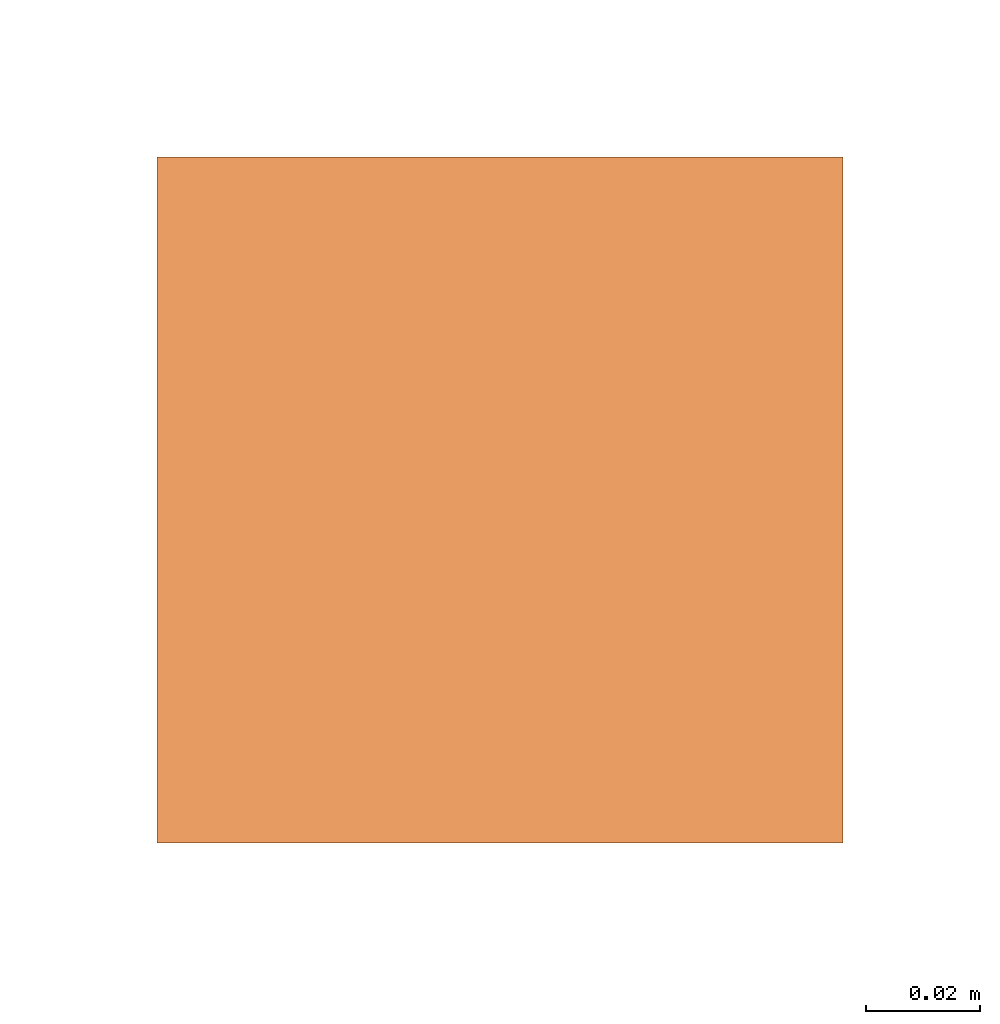
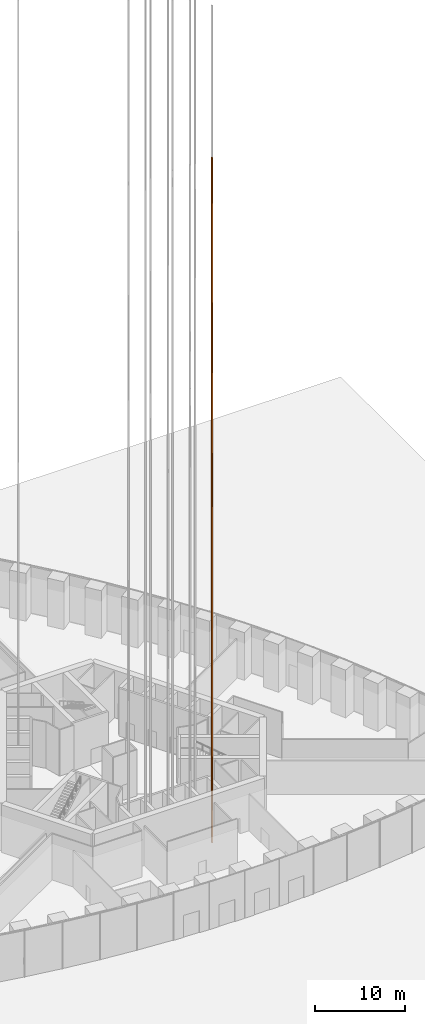
# One storey, part 31 of 43: 1 proxy.
"""IFC4 building model written with IfcOpenShell, lengths in metres."""

from ifc_helpers import new_model, si_unit, direction, frame, origin, origin_2d, place, context, subcontext, project, spatial, rectangle, extrude, element, save


model = new_model("IFC4")

# Units and contexts
model_context = context("Model", 3, precision=1e-05, world=origin(), true_north=direction((0.0, 1.0)))
body_context = subcontext(model_context, "Body", "Model", "MODEL_VIEW")
ifc_project = project(units=[si_unit("LENGTHUNIT", "METRE"), si_unit("AREAUNIT", "SQUARE_METRE"), si_unit("VOLUMEUNIT", "CUBIC_METRE"), si_unit("PLANEANGLEUNIT", "RADIAN"), si_unit("MASSUNIT", "GRAM", prefix="KILO")], contexts=[model_context])

# Site, building, storey
site_placement = place(None, origin())
site = spatial("IfcSite", under=ifc_project, at=site_placement, CompositionType="ELEMENT")
building_placement = place(site_placement, origin())
building = spatial("IfcBuilding", under=site, at=building_placement, Name="Trefoil Bronze Tower", CompositionType="ELEMENT")
storey_placement = place(building_placement, origin())
storey = spatial("IfcBuildingStorey", under=building, at=storey_placement, Name="L00", CompositionType="ELEMENT", Elevation=0.0)

# Proxy
proxy_placement = place(storey_placement, frame((5.385009765625, -11.3125, -1.60009765625), z_axis=(0.0, 0.0, 1.0), x_axis=(1.0, 0.0, 0.0)))
element("IfcBuildingElementProxy", 1, at=proxy_placement, inside=storey, Name="Lift P14 guide rail 2", ObjectType="LIFT GUIDE RAIL", PredefinedType="USERDEFINED", context=body_context, shape_type="SweptSolid", body=[
    extrude(rectangle(XDim=0.1201171875, YDim=0.1201171875, at=origin_2d()), origin(), (0.0, 0.0, 1.0), 93.35009765625),
])

save(model, "model.ifc")
